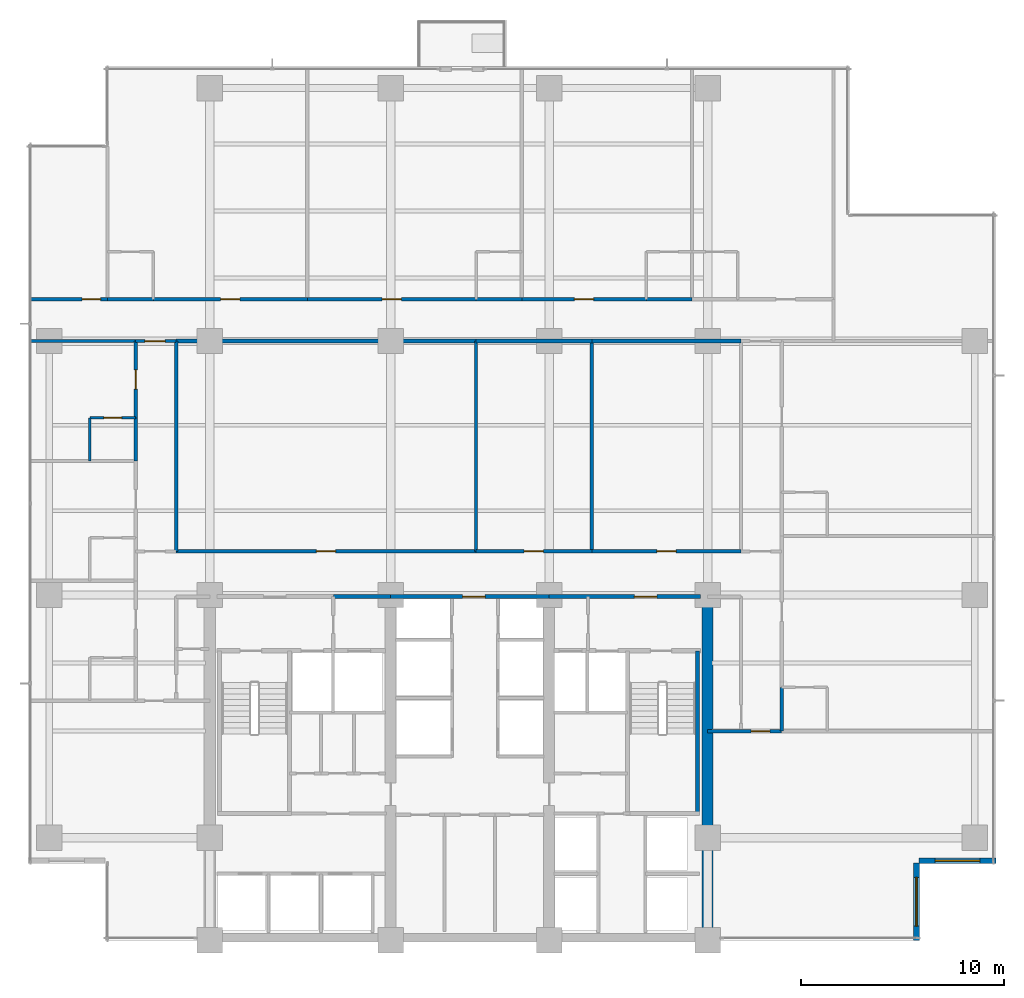
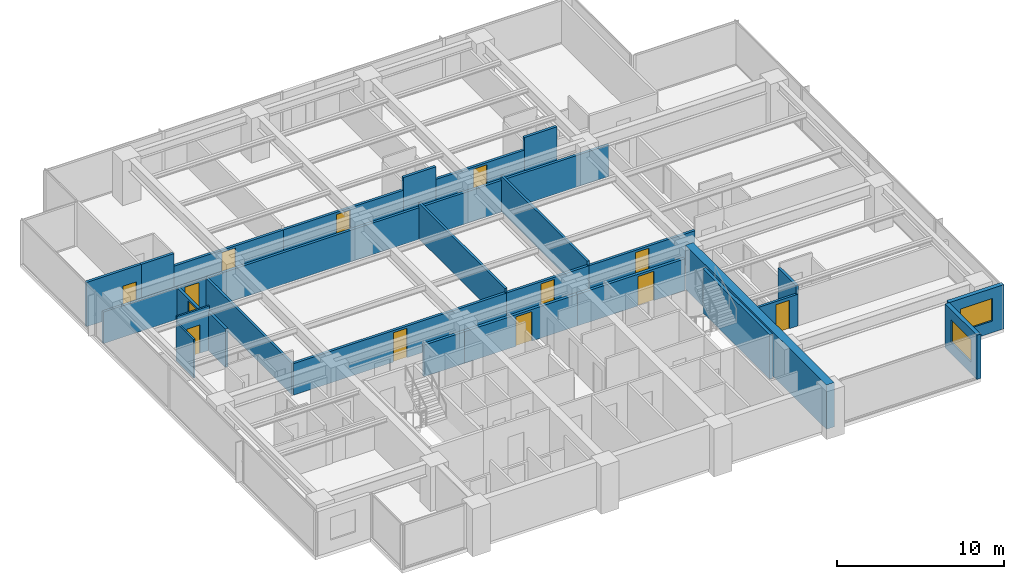
# One storey, part 10 of 17: 31 walls, 13 doors, 2 windows, 15 openings.
"""IFC4 building model written with IfcOpenShell, lengths in metres."""

from ifc_helpers import new_model, si_unit, direction, frame, frame_2d, origin, place, context, subcontext, project, spatial, rectangle, extrude, material, layer, layer_set, type_object, element, fill, save


model = new_model("IFC4")

# Units and contexts
model_context = context("Model", 3, precision=1e-05, world=origin(), true_north=direction((0.0, 1.0)))
body_context = subcontext(model_context, "Body", "Model", "MODEL_VIEW")
ifc_project = project(units=[si_unit("LENGTHUNIT", "METRE"), si_unit("AREAUNIT", "SQUARE_METRE"), si_unit("VOLUMEUNIT", "CUBIC_METRE"), si_unit("PLANEANGLEUNIT", "RADIAN"), si_unit("MASSUNIT", "GRAM", prefix="KILO")], contexts=[model_context])

# Site, building, storey
site_placement = place(None, origin())
site = spatial("IfcSite", under=ifc_project, at=site_placement, CompositionType="ELEMENT")
building_placement = place(site_placement, origin())
building = spatial("IfcBuilding", under=site, at=building_placement, Name="Qalmaran Belvedere Hotel", CompositionType="ELEMENT")
storey_placement = place(building_placement, frame((0.0, 0.0, 98.699951171875)))
storey = spatial("IfcBuildingStorey", under=building, at=storey_placement, Name="L24", CompositionType="ELEMENT", Elevation=98.699951171875)

# Wall
ifc_material_1 = material(Name="Concrete C60/75", Category="concrete")
ifc_layer_1 = layer(ifc_material_1, 0.550048828125, Name="Concrete C60/75")
ifc_layer_set_1 = layer_set([ifc_layer_1], Name="Concrete C60/75")
wall_type_1 = type_object("IfcWallType", Name="WL-CORE-550-C60", PredefinedType="SHEAR", material=ifc_layer_set_1)
wall_1_placement = place(storey_placement, frame((44.800048828125, 3.5, 0.0), z_axis=(0.0, 0.0, 1.0), x_axis=(0.0, 1.0, 0.0)))
element("IfcWall", 1, at=wall_1_placement, inside=storey, type_object=wall_type_1, Name="L24 East Core Shear Wall", PredefinedType="SHEAR", context=body_context, shape_type="SweptSolid", body=[
    extrude(rectangle(XDim=16.89990234375, YDim=0.550048828125, at=frame_2d((8.449951171875, 0.0))), origin(), (0.0, 0.0, 1.0), 3.239990234375),
])

# Wall, opening, window
ifc_material_2 = material(Name="Anodised Bronze Cladding")
ifc_layer_2 = layer(ifc_material_2, 0.280029296875, Name="Anodised Bronze Cladding")
ifc_layer_set_2 = layer_set([ifc_layer_2], Name="Anodised Bronze Cladding")
wall_type_2 = type_object("IfcWallType", Name="WL-EXT-BRNZ-280", PredefinedType="SOLIDWALL", material=ifc_layer_set_2)
wall_2_placement = place(storey_placement, frame((55.080078125, 3.5, 0.0), z_axis=(0.0, 0.0, 1.0), x_axis=(0.0, 1.0, 0.0)))
wall_2 = element("IfcWall", 2, at=wall_2_placement, inside=storey, type_object=wall_type_2, Name="L24 Corner Notch Wall 1", PredefinedType="SOLIDWALL", context=body_context, shape_type="SweptSolid", body=[
    extrude(rectangle(XDim=3.800048828125, YDim=0.280029296875, at=frame_2d((1.89990234375, 0.0))), origin(), (0.0, 0.0, 1.0), 3.239990234375),
])
opening_1_placement = place(wall_2_placement, frame((0.699951171875, 0.0, 0.85009765625)))
opening_1 = element("IfcOpeningElement", 3, at=opening_1_placement, cuts=wall_2, Name="Opening W-N24", PredefinedType="OPENING", context=body_context, shape_type="SweptSolid", body=[
    extrude(rectangle(XDim=2.39990234375, YDim=1.64990234375, at=frame_2d((1.199951171875, 0.824951171875))), frame((0.0, 0.14990234375, 0.0), z_axis=(0.0, -1.0, 0.0), x_axis=(1.0, 0.0, 0.0)), (0.0, 0.0, 1.0), 0.300048828125),
])
ifc_material_3 = material(Name="Solar-Control Double Glazing", Category="glass")
window_type_1 = type_object("IfcWindowType", Name="WN-NTC-2400X1650", PartitioningType="SINGLE_PANEL", PredefinedType="WINDOW", material=ifc_material_3)
window_1_placement = place(opening_1_placement, origin())
window_1 = element("IfcWindow", 4, at=window_1_placement, inside=storey, type_object=window_type_1, Name="L24 Corner Notch Window 1", OverallHeight=1.64990234375, OverallWidth=2.39990234375, PartitioningType="SINGLE_PANEL", PredefinedType="WINDOW", context=body_context, shape_type="SweptSolid", body=[
    extrude(rectangle(XDim=2.39990234375, YDim=1.64990234375, at=frame_2d((1.199951171875, 0.824951171875))), frame((0.0, 0.030029296875, 0.0), z_axis=(0.0, -1.0, 0.0), x_axis=(1.0, 0.0, 0.0)), (0.0, 0.0, 1.0), 0.06005859375),
])
fill(opening_1, window_1)

wall_3_placement = place(storey_placement, frame((55.199951171875, 7.419921875, 0.0), z_axis=(0.0, 0.0, 1.0), x_axis=(1.0, 0.0, 0.0)))
wall_3 = element("IfcWall", 5, at=wall_3_placement, inside=storey, type_object=wall_type_2, Name="L24 Corner Notch Wall 2", PredefinedType="SOLIDWALL", context=body_context, shape_type="SweptSolid", body=[
    extrude(rectangle(XDim=3.800048828125, YDim=0.280029296875, at=frame_2d((1.89990234375, 0.0))), origin(), (0.0, 0.0, 1.0), 3.239990234375),
])
opening_2_placement = place(wall_3_placement, frame((0.800048828125, 0.0, 0.85009765625)))
opening_2 = element("IfcOpeningElement", 6, at=opening_2_placement, cuts=wall_3, Name="Opening W-N22", PredefinedType="OPENING", context=body_context, shape_type="SweptSolid", body=[
    extrude(rectangle(XDim=2.199951171875, YDim=1.64990234375, at=frame_2d((1.10009765625, 0.824951171875))), frame((0.0, 0.14990234375, 0.0), z_axis=(0.0, -1.0, 0.0), x_axis=(1.0, 0.0, 0.0)), (0.0, 0.0, 1.0), 0.300048828125),
])
window_type_2 = type_object("IfcWindowType", Name="WN-NTC-2200X1650", PartitioningType="SINGLE_PANEL", PredefinedType="WINDOW", material=ifc_material_3)
window_2_placement = place(opening_2_placement, origin())
window_2 = element("IfcWindow", 7, at=window_2_placement, inside=storey, type_object=window_type_2, Name="L24 Corner Notch Window 2", OverallHeight=1.64990234375, OverallWidth=2.199951171875, PartitioningType="SINGLE_PANEL", PredefinedType="WINDOW", context=body_context, shape_type="SweptSolid", body=[
    extrude(rectangle(XDim=2.199951171875, YDim=1.64990234375, at=frame_2d((1.10009765625, 0.824951171875))), frame((0.0, 0.030029296875, 0.0), z_axis=(0.0, -1.0, 0.0), x_axis=(1.0, 0.0, 0.0)), (0.0, 0.0, 1.0), 0.06005859375),
])
fill(opening_2, window_2)

# Wall, opening, door
ifc_material_4 = material(Name="Moisture-Resistant Gypsum")
ifc_layer_3 = layer(ifc_material_4, 0.1201171875, Name="Moisture-Resistant Gypsum")
ifc_layer_set_3 = layer_set([ifc_layer_3], Name="Moisture-Resistant Gypsum")
wall_type_3 = type_object("IfcWallType", Name="WL-INT-120-BATH", PredefinedType="PARTITIONING", material=ifc_layer_set_3)
wall_4_placement = place(storey_placement, frame((14.39990234375, 29.219970703125, 0.0), z_axis=(0.0, 0.0, 1.0), x_axis=(1.0, 0.0, 0.0)))
wall_4 = element("IfcWall", 8, at=wall_4_placement, inside=storey, type_object=wall_type_3, Name="L24 Partition WL-L24-WBN02", PredefinedType="PARTITIONING", context=body_context, shape_type="SweptSolid", body=[
    extrude(rectangle(XDim=2.25, YDim=0.1201171875, at=frame_2d((1.125, 0.0))), origin(), (0.0, 0.0, 1.0), 3.239990234375),
])
opening_3_placement = place(wall_4_placement, frame((1.56494140625, 0.0, 0.0), z_axis=(0.0, 0.0, 1.0), x_axis=(-1.0, 0.0, 0.0)))
opening_3 = element("IfcOpeningElement", 9, at=opening_3_placement, cuts=wall_4, Name="Opening D-BATH", PredefinedType="OPENING", context=body_context, shape_type="SweptSolid", body=[
    extrude(rectangle(XDim=0.8798828125, YDim=2.080078125, at=frame_2d((0.43994140625, 1.0400390625))), frame((0.0, 0.070068359375, 0.0), z_axis=(0.0, -1.0, 0.0), x_axis=(1.0, 0.0, 0.0)), (0.0, 0.0, 1.0), 0.14013671875),
])
ifc_material_5 = material(Name="Engineered Oak Veneer")
door_type_1 = type_object("IfcDoorType", Name="DR-INT-BATH-880X2080", OperationType="NOTDEFINED", PredefinedType="DOOR", material=ifc_material_5)
door_1_placement = place(opening_3_placement, origin())
door_1 = element("IfcDoor", 10, at=door_1_placement, inside=storey, type_object=door_type_1, Name="L24 W Ensuite Door 03", OperationType="SINGLE_SWING_RIGHT", OverallHeight=2.080078125, OverallWidth=0.8798828125, PredefinedType="DOOR", context=body_context, shape_type="SweptSolid", body=[
    extrude(rectangle(XDim=0.8798828125, YDim=2.080078125, at=frame_2d((0.43994140625, 1.0400390625))), frame((0.0, 0.02490234375, 0.0), z_axis=(0.0, -1.0, 0.0), x_axis=(1.0, 0.0, 0.0)), (0.0, 0.0, 1.0), 0.050048828125),
])
fill(opening_3, door_1)

# Wall
wall_5_placement = place(storey_placement, frame((14.39990234375, 27.10009765625, 0.0), z_axis=(0.0, 0.0, 1.0), x_axis=(0.0, 1.0, 0.0)))
element("IfcWall", 11, at=wall_5_placement, inside=storey, type_object=wall_type_3, Name="L24 Partition WL-L24-WBS02", PredefinedType="PARTITIONING", context=body_context, shape_type="SweptSolid", body=[
    extrude(rectangle(XDim=2.119873046875, YDim=0.1201171875, at=frame_2d((1.06005859375, 0.0))), origin(), (0.0, 0.0, 1.0), 2.818115234375),
])

# Wall, opening, door
ifc_material_6 = material(Name="Gypsum Stud Partition")
ifc_layer_4 = layer(ifc_material_6, 0.14990234375, Name="Gypsum Stud Partition")
ifc_layer_set_4 = layer_set([ifc_layer_4], Name="Gypsum Stud Partition")
wall_type_4 = type_object("IfcWallType", Name="WL-INT-150-EI60", PredefinedType="PARTITIONING", material=ifc_layer_set_4)
wall_6_placement = place(storey_placement, frame((16.64990234375, 33.0, 0.0), z_axis=(0.0, 0.0, 1.0), x_axis=(1.0, 0.0, 0.0)))
wall_6 = element("IfcWall", 12, at=wall_6_placement, inside=storey, type_object=wall_type_4, Name="L24 Partition WL-L24-XCW2", PredefinedType="PARTITIONING", context=body_context, shape_type="SweptSolid", body=[
    extrude(rectangle(XDim=2.0, YDim=0.14990234375, at=frame_2d((1.0, 0.0))), origin(), (0.0, 0.0, 1.0), 2.31298828125),
])
opening_4_placement = place(wall_6_placement, frame((0.449951171875, 0.0, 0.0)))
opening_4 = element("IfcOpeningElement", 13, at=opening_4_placement, cuts=wall_6, Name="Opening FD90B", PredefinedType="OPENING", context=body_context, shape_type="SweptSolid", body=[
    extrude(rectangle(XDim=1.0, YDim=2.14990234375, at=frame_2d((0.5, 1.074951171875))), frame((0.0, 0.0849609375, 0.0), z_axis=(0.0, -1.0, 0.0), x_axis=(1.0, 0.0, 0.0)), (0.0, 0.0, 1.0), 0.169921875),
])
ifc_material_7 = material(Name="Steel S355JR", Category="steel")
door_type_2 = type_object("IfcDoorType", Name="DR-FD90B-1000X2150", OperationType="NOTDEFINED", PredefinedType="DOOR", material=ifc_material_7)
door_2_placement = place(opening_4_placement, origin())
door_2 = element("IfcDoor", 14, at=door_2_placement, inside=storey, type_object=door_type_2, Name="L24 West Corridor Smoke Door N", OperationType="SINGLE_SWING_RIGHT", OverallHeight=2.14990234375, OverallWidth=1.0, PredefinedType="DOOR", context=body_context, shape_type="SweptSolid", body=[
    extrude(rectangle(XDim=1.0, YDim=2.14990234375, at=frame_2d((0.5, 1.074951171875))), frame((0.0, 0.02490234375, 0.0), z_axis=(0.0, -1.0, 0.0), x_axis=(1.0, 0.0, 0.0)), (0.0, 0.0, 1.0), 0.050048828125),
])
fill(opening_4, door_2)

ifc_layer_5 = layer(ifc_material_6, 0.159912109375, Name="Gypsum Stud Partition")
ifc_layer_set_5 = layer_set([ifc_layer_5], Name="Gypsum Stud Partition")
wall_type_5 = type_object("IfcWallType", Name="WL-INT-160-EI60", PredefinedType="PARTITIONING", material=ifc_layer_set_5)
wall_7_placement = place(storey_placement, frame((44.800048828125, 13.800048828125, 0.0), z_axis=(0.0, 0.0, 1.0), x_axis=(1.0, 0.0, 0.0)))
wall_7 = element("IfcWall", 15, at=wall_7_placement, inside=storey, type_object=wall_type_5, Name="L24 Partition WL-L24-SERL", PredefinedType="PARTITIONING", context=body_context, shape_type="SweptSolid", body=[
    extrude(rectangle(XDim=3.64990234375, YDim=0.159912109375, at=frame_2d((1.824951171875, 0.0))), origin(), (0.0, 0.0, 1.0), 2.31298828125),
])
opening_5_placement = place(wall_7_placement, frame((3.06982421875, 0.0, 0.0), z_axis=(0.0, 0.0, 1.0), x_axis=(-1.0, 0.0, 0.0)))
opening_5 = element("IfcOpeningElement", 16, at=opening_5_placement, cuts=wall_7, Name="Opening FD60S1", PredefinedType="OPENING", context=body_context, shape_type="SweptSolid", body=[
    extrude(rectangle(XDim=0.919921875, YDim=2.080078125, at=frame_2d((0.4599609375, 1.0400390625))), frame((0.0, 0.08984375, 0.0), z_axis=(0.0, -1.0, 0.0), x_axis=(1.0, 0.0, 0.0)), (0.0, 0.0, 1.0), 0.179931640625),
])
door_type_3 = type_object("IfcDoorType", Name="DR-FD60S-920X2080", OperationType="NOTDEFINED", PredefinedType="DOOR", material=ifc_material_5)
door_3_placement = place(opening_5_placement, origin())
door_3 = element("IfcDoor", 17, at=door_3_placement, inside=storey, type_object=door_type_3, Name="L24 SE Lounge Door", OperationType="SINGLE_SWING_RIGHT", OverallHeight=2.080078125, OverallWidth=0.919921875, PredefinedType="DOOR", context=body_context, shape_type="SweptSolid", body=[
    extrude(rectangle(XDim=0.919921875, YDim=2.080078125, at=frame_2d((0.4599609375, 1.0400390625))), frame((0.0, 0.02490234375, 0.0), z_axis=(0.0, -1.0, 0.0), x_axis=(1.0, 0.0, 0.0)), (0.0, 0.0, 1.0), 0.050048828125),
])
fill(opening_5, door_3)

# Walls
wall_8_placement = place(storey_placement, frame((18.64990234375, 22.64990234375, 0.0), z_axis=(0.0, 0.0, 1.0), x_axis=(0.0, 1.0, 0.0)))
element("IfcWall", 18, at=wall_8_placement, inside=storey, type_object=wall_type_5, Name="L24 Partition WL-L24-MIDVL", PredefinedType="PARTITIONING", context=body_context, shape_type="SweptSolid", body=[
    extrude(rectangle(XDim=10.35009765625, YDim=0.159912109375, at=frame_2d((5.175048828125, 0.0))), origin(), (0.0, 0.0, 1.0), 2.31298828125),
])
for number, where, z_axis, x_axis, name in (
    (19, (33.39990234375, 22.64990234375, 0.0), (0.0, 0.0, 1.0), (0.0, 1.0, 0.0), "L24 Partition WL-L24-MIDVR1"),
    (20, (39.10009765625, 22.64990234375, 0.0), (0.0, 0.0, 1.0), (0.0, 1.0, 0.0), "L24 Partition WL-L24-MIDVR2"),
):
    element("IfcWall", number, at=place(storey_placement, frame(where, z_axis=z_axis, x_axis=x_axis)), inside=storey, type_object=wall_type_5, Name=name, PredefinedType="PARTITIONING", context=body_context, shape_type="SweptSolid", body=[
        extrude(rectangle(XDim=10.35009765625, YDim=0.159912109375, at=frame_2d((5.175048828125, 0.0))), origin(), (0.0, 0.0, 1.0), 2.614013671875),
    ])
wall_9_placement = place(storey_placement, frame((11.469970703125, 33.0, 0.0), z_axis=(0.0, 0.0, 1.0), x_axis=(1.0, 0.0, 0.0)))
element("IfcWall", 21, at=wall_9_placement, inside=storey, type_object=wall_type_5, Name="L24 Partition WL-L24-WU02", PredefinedType="PARTITIONING", context=body_context, shape_type="SweptSolid", body=[
    extrude(rectangle(XDim=5.179931640625, YDim=0.159912109375, at=frame_2d((2.58984375, 0.0))), origin(), (0.0, 0.0, 1.0), 2.31298828125),
])

# Wall, opening, door
ifc_layer_6 = layer(ifc_material_6, 0.179931640625, Name="Gypsum Stud Partition")
ifc_layer_set_6 = layer_set([ifc_layer_6], Name="Gypsum Stud Partition")
wall_type_6 = type_object("IfcWallType", Name="WL-INT-180-EI60", PredefinedType="PARTITIONING", material=ifc_layer_set_6)
wall_10_placement = place(storey_placement, frame((18.64990234375, 22.64990234375, 0.0), z_axis=(0.0, 0.0, 1.0), x_axis=(1.0, 0.0, 0.0)))
wall_10 = element("IfcWall", 22, at=wall_10_placement, inside=storey, type_object=wall_type_6, Name="L24 Partition WL-L24-MIDD1", PredefinedType="PARTITIONING", context=body_context, shape_type="SweptSolid", body=[
    extrude(rectangle(XDim=14.75, YDim=0.179931640625, at=frame_2d((7.375, 0.0))), origin(), (0.0, 0.0, 1.0), 2.31298828125),
])
opening_6_placement = place(wall_10_placement, frame((6.89990234375, 0.0, 0.0)))
opening_6 = element("IfcOpeningElement", 23, at=opening_6_placement, cuts=wall_10, Name="Opening FD60", PredefinedType="OPENING", context=body_context, shape_type="SweptSolid", body=[
    extrude(rectangle(XDim=0.949951171875, YDim=2.14990234375, at=frame_2d((0.47509765625, 1.074951171875))), frame((0.0, 0.10009765625, 0.0), z_axis=(0.0, -1.0, 0.0), x_axis=(1.0, 0.0, 0.0)), (0.0, 0.0, 1.0), 0.199951171875),
])
door_type_4 = type_object("IfcDoorType", Name="DR-FD60-950X2150", OperationType="NOTDEFINED", PredefinedType="DOOR", material=ifc_material_5)
door_4_placement = place(opening_6_placement, origin())
door_4 = element("IfcDoor", 24, at=door_4_placement, inside=storey, type_object=door_type_4, Name="L24 Housekeeping and Linen Room Door", OperationType="SINGLE_SWING_LEFT", OverallHeight=2.14990234375, OverallWidth=0.949951171875, PredefinedType="DOOR", context=body_context, shape_type="SweptSolid", body=[
    extrude(rectangle(XDim=0.949951171875, YDim=2.14990234375, at=frame_2d((0.47509765625, 1.074951171875))), frame((0.0, 0.02490234375, 0.0), z_axis=(0.0, -1.0, 0.0), x_axis=(1.0, 0.0, 0.0)), (0.0, 0.0, 1.0), 0.050048828125),
])
fill(opening_6, door_4)

# Wall
wall_11_placement = place(storey_placement, frame((18.64990234375, 33.0, 0.0), z_axis=(0.0, 0.0, 1.0), x_axis=(1.0, 0.0, 0.0)))
element("IfcWall", 25, at=wall_11_placement, inside=storey, type_object=wall_type_6, Name="L24 Partition WL-L24-MIDO1", PredefinedType="PARTITIONING", context=body_context, shape_type="SweptSolid", body=[
    extrude(rectangle(XDim=14.75, YDim=0.179931640625, at=frame_2d((7.375, 0.0))), origin(), (0.0, 0.0, 1.0), 2.31298828125),
])

# Wall, opening, door
wall_12_placement = place(storey_placement, frame((33.39990234375, 22.64990234375, 0.0), z_axis=(0.0, 0.0, 1.0), x_axis=(1.0, 0.0, 0.0)))
wall_12 = element("IfcWall", 26, at=wall_12_placement, inside=storey, type_object=wall_type_6, Name="L24 Partition WL-L24-MIDD2", PredefinedType="PARTITIONING", context=body_context, shape_type="SweptSolid", body=[
    extrude(rectangle(XDim=5.7001953125, YDim=0.179931640625, at=frame_2d((2.85009765625, 0.0))), origin(), (0.0, 0.0, 1.0), 2.31298828125),
])
opening_7_placement = place(wall_12_placement, frame((2.375, 0.0, 0.0)))
opening_7 = element("IfcOpeningElement", 27, at=opening_7_placement, cuts=wall_12, Name="Opening FD60", PredefinedType="OPENING", context=body_context, shape_type="SweptSolid", body=[
    extrude(rectangle(XDim=0.949951171875, YDim=2.14990234375, at=frame_2d((0.47509765625, 1.074951171875))), frame((0.0, 0.10009765625, 0.0), z_axis=(0.0, -1.0, 0.0), x_axis=(1.0, 0.0, 0.0)), (0.0, 0.0, 1.0), 0.199951171875),
])
door_5_placement = place(opening_7_placement, origin())
door_5 = element("IfcDoor", 28, at=door_5_placement, inside=storey, type_object=door_type_4, Name="L24 Butler Pantry Door", OperationType="SINGLE_SWING_RIGHT", OverallHeight=2.14990234375, OverallWidth=0.949951171875, PredefinedType="DOOR", context=body_context, shape_type="SweptSolid", body=[
    extrude(rectangle(XDim=0.949951171875, YDim=2.14990234375, at=frame_2d((0.47509765625, 1.074951171875))), frame((0.0, 0.02490234375, 0.0), z_axis=(0.0, -1.0, 0.0), x_axis=(1.0, 0.0, 0.0)), (0.0, 0.0, 1.0), 0.050048828125),
])
fill(opening_7, door_5)

# Wall
wall_13_placement = place(storey_placement, frame((33.39990234375, 33.0, 0.0), z_axis=(0.0, 0.0, 1.0), x_axis=(1.0, 0.0, 0.0)))
element("IfcWall", 29, at=wall_13_placement, inside=storey, type_object=wall_type_6, Name="L24 Partition WL-L24-MIDO2", PredefinedType="PARTITIONING", context=body_context, shape_type="SweptSolid", body=[
    extrude(rectangle(XDim=5.7001953125, YDim=0.179931640625, at=frame_2d((2.85009765625, 0.0))), origin(), (0.0, 0.0, 1.0), 2.31298828125),
])

# Wall, opening, door
wall_14_placement = place(storey_placement, frame((39.10009765625, 22.64990234375, 0.0), z_axis=(0.0, 0.0, 1.0), x_axis=(1.0, 0.0, 0.0)))
wall_14 = element("IfcWall", 30, at=wall_14_placement, inside=storey, type_object=wall_type_6, Name="L24 Partition WL-L24-MIDD3", PredefinedType="PARTITIONING", context=body_context, shape_type="SweptSolid", body=[
    extrude(rectangle(XDim=7.349853515625, YDim=0.179931640625, at=frame_2d((3.6748046875, 0.0))), origin(), (0.0, 0.0, 1.0), 2.31298828125),
])
opening_8_placement = place(wall_14_placement, frame((3.199951171875, 0.0, 0.0)))
opening_8 = element("IfcOpeningElement", 31, at=opening_8_placement, cuts=wall_14, Name="Opening FD60", PredefinedType="OPENING", context=body_context, shape_type="SweptSolid", body=[
    extrude(rectangle(XDim=0.949951171875, YDim=2.14990234375, at=frame_2d((0.47509765625, 1.074951171875))), frame((0.0, 0.10009765625, 0.0), z_axis=(0.0, -1.0, 0.0), x_axis=(1.0, 0.0, 0.0)), (0.0, 0.0, 1.0), 0.199951171875),
])
door_6_placement = place(opening_8_placement, origin())
door_6 = element("IfcDoor", 32, at=door_6_placement, inside=storey, type_object=door_type_4, Name="L24 Tea Pantry Door", OperationType="SINGLE_SWING_LEFT", OverallHeight=2.14990234375, OverallWidth=0.949951171875, PredefinedType="DOOR", context=body_context, shape_type="SweptSolid", body=[
    extrude(rectangle(XDim=0.949951171875, YDim=2.14990234375, at=frame_2d((0.47509765625, 1.074951171875))), frame((0.0, 0.02490234375, 0.0), z_axis=(0.0, -1.0, 0.0), x_axis=(1.0, 0.0, 0.0)), (0.0, 0.0, 1.0), 0.050048828125),
])
fill(opening_8, door_6)

# Walls
wall_15_placement = place(storey_placement, frame((39.10009765625, 33.0, 0.0), z_axis=(0.0, 0.0, 1.0), x_axis=(1.0, 0.0, 0.0)))
element("IfcWall", 33, at=wall_15_placement, inside=storey, type_object=wall_type_6, Name="L24 Partition WL-L24-MIDO3", PredefinedType="PARTITIONING", context=body_context, shape_type="SweptSolid", body=[
    extrude(rectangle(XDim=7.349853515625, YDim=0.179931640625, at=frame_2d((3.6748046875, 0.0))), origin(), (0.0, 0.0, 1.0), 2.31298828125),
])
wall_16_placement = place(storey_placement, frame((15.27001953125, 35.050048828125, 0.0), z_axis=(0.0, 0.0, 1.0), x_axis=(1.0, 0.0, 0.0)))
element("IfcWall", 34, at=wall_16_placement, inside=storey, type_object=wall_type_6, Name="L24 Partition WL-L24-NBC00", PredefinedType="PARTITIONING", context=body_context, shape_type="SweptSolid", body=[
    extrude(rectangle(XDim=2.25, YDim=0.179931640625, at=frame_2d((1.125, 0.0))), origin(), (0.0, 0.0, 1.0), 3.239990234375),
])

# Wall, opening, door
wall_17_placement = place(storey_placement, frame((17.52001953125, 35.050048828125, 0.0), z_axis=(0.0, 0.0, 1.0), x_axis=(1.0, 0.0, 0.0)))
wall_17 = element("IfcWall", 35, at=wall_17_placement, inside=storey, type_object=wall_type_6, Name="L24 Partition WL-L24-NEC00", PredefinedType="PARTITIONING", context=body_context, shape_type="SweptSolid", body=[
    extrude(rectangle(XDim=7.58056640625, YDim=0.179931640625, at=frame_2d((3.790283203125, 0.0))), origin(), (0.0, 0.0, 1.0), 2.31298828125),
])
opening_9_placement = place(wall_17_placement, frame((3.3154296875, 0.0, 0.0)))
opening_9 = element("IfcOpeningElement", 36, at=opening_9_placement, cuts=wall_17, Name="Opening FD60", PredefinedType="OPENING", context=body_context, shape_type="SweptSolid", body=[
    extrude(rectangle(XDim=0.949951171875, YDim=2.14990234375, at=frame_2d((0.47509765625, 1.074951171875))), frame((0.0, 0.10009765625, 0.0), z_axis=(0.0, -1.0, 0.0), x_axis=(1.0, 0.0, 0.0)), (0.0, 0.0, 1.0), 0.199951171875),
])
door_7_placement = place(opening_9_placement, origin())
door_7 = element("IfcDoor", 37, at=door_7_placement, inside=storey, type_object=door_type_4, Name="L24 Guest Entrance Door N01", OperationType="SINGLE_SWING_LEFT", OverallHeight=2.14990234375, OverallWidth=0.949951171875, PredefinedType="DOOR", context=body_context, shape_type="SweptSolid", body=[
    extrude(rectangle(XDim=0.949951171875, YDim=2.14990234375, at=frame_2d((0.47509765625, 1.074951171875))), frame((0.0, 0.02490234375, 0.0), z_axis=(0.0, -1.0, 0.0), x_axis=(1.0, 0.0, 0.0)), (0.0, 0.0, 1.0), 0.050048828125),
])
fill(opening_9, door_7)

# Wall
wall_18_placement = place(storey_placement, frame((33.40966796875, 35.050048828125, 0.0), z_axis=(0.0, 0.0, 1.0), x_axis=(1.0, 0.0, 0.0)))
element("IfcWall", 38, at=wall_18_placement, inside=storey, type_object=wall_type_6, Name="L24 Partition WL-L24-NBC01", PredefinedType="PARTITIONING", context=body_context, shape_type="SweptSolid", body=[
    extrude(rectangle(XDim=2.25, YDim=0.179931640625, at=frame_2d((1.125, 0.0))), origin(), (0.0, 0.0, 1.0), 3.239990234375),
])

# Wall, opening, door
wall_19_placement = place(storey_placement, frame((25.1005859375, 35.050048828125, 0.0), z_axis=(0.0, 0.0, 1.0), x_axis=(1.0, 0.0, 0.0)))
wall_19 = element("IfcWall", 39, at=wall_19_placement, inside=storey, type_object=wall_type_6, Name="L24 Partition WL-L24-NEC01", PredefinedType="PARTITIONING", context=body_context, shape_type="SweptSolid", body=[
    extrude(rectangle(XDim=8.30908203125, YDim=0.179931640625, at=frame_2d((4.154541015625, 0.0))), origin(), (0.0, 0.0, 1.0), 2.31298828125),
])
opening_10_placement = place(wall_19_placement, frame((3.679443359375, 0.0, 0.0)))
opening_10 = element("IfcOpeningElement", 40, at=opening_10_placement, cuts=wall_19, Name="Opening FD60", PredefinedType="OPENING", context=body_context, shape_type="SweptSolid", body=[
    extrude(rectangle(XDim=0.949951171875, YDim=2.14990234375, at=frame_2d((0.47509765625, 1.074951171875))), frame((0.0, 0.10009765625, 0.0), z_axis=(0.0, -1.0, 0.0), x_axis=(1.0, 0.0, 0.0)), (0.0, 0.0, 1.0), 0.199951171875),
])
door_8_placement = place(opening_10_placement, origin())
door_8 = element("IfcDoor", 41, at=door_8_placement, inside=storey, type_object=door_type_4, Name="L24 Guest Entrance Door N02", OperationType="SINGLE_SWING_LEFT", OverallHeight=2.14990234375, OverallWidth=0.949951171875, PredefinedType="DOOR", context=body_context, shape_type="SweptSolid", body=[
    extrude(rectangle(XDim=0.949951171875, YDim=2.14990234375, at=frame_2d((0.47509765625, 1.074951171875))), frame((0.0, 0.02490234375, 0.0), z_axis=(0.0, -1.0, 0.0), x_axis=(1.0, 0.0, 0.0)), (0.0, 0.0, 1.0), 0.050048828125),
])
fill(opening_10, door_8)

# Wall
wall_20_placement = place(storey_placement, frame((41.783935546875, 35.050048828125, 0.0), z_axis=(0.0, 0.0, 1.0), x_axis=(1.0, 0.0, 0.0)))
element("IfcWall", 42, at=wall_20_placement, inside=storey, type_object=wall_type_6, Name="L24 Partition WL-L24-NBC02", PredefinedType="PARTITIONING", context=body_context, shape_type="SweptSolid", body=[
    extrude(rectangle(XDim=2.25, YDim=0.179931640625, at=frame_2d((1.125, 0.0))), origin(), (0.0, 0.0, 1.0), 3.239990234375),
])

# Wall, opening, door
wall_21_placement = place(storey_placement, frame((35.65966796875, 35.050048828125, 0.0), z_axis=(0.0, 0.0, 1.0), x_axis=(1.0, 0.0, 0.0)))
wall_21 = element("IfcWall", 43, at=wall_21_placement, inside=storey, type_object=wall_type_6, Name="L24 Partition WL-L24-NEC02", PredefinedType="PARTITIONING", context=body_context, shape_type="SweptSolid", body=[
    extrude(rectangle(XDim=6.124267578125, YDim=0.179931640625, at=frame_2d((3.06201171875, 0.0))), origin(), (0.0, 0.0, 1.0), 2.31298828125),
])
opening_11_placement = place(wall_21_placement, frame((2.587158203125, 0.0, 0.0)))
opening_11 = element("IfcOpeningElement", 44, at=opening_11_placement, cuts=wall_21, Name="Opening FD60", PredefinedType="OPENING", context=body_context, shape_type="SweptSolid", body=[
    extrude(rectangle(XDim=0.949951171875, YDim=2.14990234375, at=frame_2d((0.47509765625, 1.074951171875))), frame((0.0, 0.10009765625, 0.0), z_axis=(0.0, -1.0, 0.0), x_axis=(1.0, 0.0, 0.0)), (0.0, 0.0, 1.0), 0.199951171875),
])
door_9_placement = place(opening_11_placement, origin())
door_9 = element("IfcDoor", 45, at=door_9_placement, inside=storey, type_object=door_type_4, Name="L24 Guest Entrance Door N03", OperationType="SINGLE_SWING_LEFT", OverallHeight=2.14990234375, OverallWidth=0.949951171875, PredefinedType="DOOR", context=body_context, shape_type="SweptSolid", body=[
    extrude(rectangle(XDim=0.949951171875, YDim=2.14990234375, at=frame_2d((0.47509765625, 1.074951171875))), frame((0.0, 0.02490234375, 0.0), z_axis=(0.0, -1.0, 0.0), x_axis=(1.0, 0.0, 0.0)), (0.0, 0.0, 1.0), 0.050048828125),
])
fill(opening_11, door_9)

# Wall
wall_22_placement = place(storey_placement, frame((16.64990234375, 27.10009765625, 0.0), z_axis=(0.0, 0.0, 1.0), x_axis=(0.0, 1.0, 0.0)))
element("IfcWall", 46, at=wall_22_placement, inside=storey, type_object=wall_type_6, Name="L24 Partition WL-L24-WBC02", PredefinedType="PARTITIONING", context=body_context, shape_type="SweptSolid", body=[
    extrude(rectangle(XDim=2.119873046875, YDim=0.179931640625, at=frame_2d((1.06005859375, 0.0))), origin(), (0.0, 0.0, 1.0), 2.818115234375),
])

# Wall, opening, door
wall_23_placement = place(storey_placement, frame((16.64990234375, 29.219970703125, 0.0), z_axis=(0.0, 0.0, 1.0), x_axis=(0.0, 1.0, 0.0)))
wall_23 = element("IfcWall", 47, at=wall_23_placement, inside=storey, type_object=wall_type_6, Name="L24 Partition WL-L24-WEC02", PredefinedType="PARTITIONING", context=body_context, shape_type="SweptSolid", body=[
    extrude(rectangle(XDim=3.780029296875, YDim=0.179931640625, at=frame_2d((1.89013671875, 0.0))), origin(), (0.0, 0.0, 1.0), 2.31298828125),
])
opening_12_placement = place(wall_23_placement, frame((1.4150390625, 0.0, 0.0)))
opening_12 = element("IfcOpeningElement", 48, at=opening_12_placement, cuts=wall_23, Name="Opening FD60", PredefinedType="OPENING", context=body_context, shape_type="SweptSolid", body=[
    extrude(rectangle(XDim=0.949951171875, YDim=2.14990234375, at=frame_2d((0.47509765625, 1.074951171875))), frame((0.0, 0.10009765625, 0.0), z_axis=(0.0, -1.0, 0.0), x_axis=(1.0, 0.0, 0.0)), (0.0, 0.0, 1.0), 0.199951171875),
])
door_10_placement = place(opening_12_placement, origin())
door_10 = element("IfcDoor", 49, at=door_10_placement, inside=storey, type_object=door_type_4, Name="L24 W Wing Door 03", OperationType="SINGLE_SWING_LEFT", OverallHeight=2.14990234375, OverallWidth=0.949951171875, PredefinedType="DOOR", context=body_context, shape_type="SweptSolid", body=[
    extrude(rectangle(XDim=0.949951171875, YDim=2.14990234375, at=frame_2d((0.47509765625, 1.074951171875))), frame((0.0, 0.02490234375, 0.0), z_axis=(0.0, -1.0, 0.0), x_axis=(1.0, 0.0, 0.0)), (0.0, 0.0, 1.0), 0.050048828125),
])
fill(opening_12, door_10)

# Wall
wall_24_placement = place(storey_placement, frame((48.449951171875, 13.800048828125, 0.0), z_axis=(0.0, 0.0, 1.0), x_axis=(0.0, 1.0, 0.0)))
element("IfcWall", 50, at=wall_24_placement, inside=storey, type_object=wall_type_6, Name="L24 Partition WL-L24-EBC00", PredefinedType="PARTITIONING", context=body_context, shape_type="SweptSolid", body=[
    extrude(rectangle(XDim=2.14990234375, YDim=0.179931640625, at=frame_2d((1.074951171875, 0.0))), origin(), (0.0, 0.0, 1.0), 2.922119140625),
])

# Wall, opening, door
wall_25_placement = place(storey_placement, frame((11.469970703125, 35.050048828125, 0.0), z_axis=(0.0, 0.0, 1.0), x_axis=(1.0, 0.0, 0.0)))
wall_25 = element("IfcWall", 51, at=wall_25_placement, inside=storey, type_object=wall_type_6, Name="L24 Partition WL-L24-NWSD", PredefinedType="PARTITIONING", context=body_context, shape_type="SweptSolid", body=[
    extrude(rectangle(XDim=3.800048828125, YDim=0.179931640625, at=frame_2d((1.89990234375, 0.0))), origin(), (0.0, 0.0, 1.0), 3.239990234375),
])
opening_13_placement = place(wall_25_placement, frame((2.543701171875, 0.0, 0.0)))
opening_13 = element("IfcOpeningElement", 52, at=opening_13_placement, cuts=wall_25, Name="Opening FD60S1", PredefinedType="OPENING", context=body_context, shape_type="SweptSolid", body=[
    extrude(rectangle(XDim=0.919921875, YDim=2.080078125, at=frame_2d((0.4599609375, 1.0400390625))), frame((0.0, 0.10009765625, 0.0), z_axis=(0.0, -1.0, 0.0), x_axis=(1.0, 0.0, 0.0)), (0.0, 0.0, 1.0), 0.199951171875),
])
door_11_placement = place(opening_13_placement, origin())
door_11 = element("IfcDoor", 53, at=door_11_placement, inside=storey, type_object=door_type_3, Name="L24 NW Belvedere Study Door", OperationType="SINGLE_SWING_RIGHT", OverallHeight=2.080078125, OverallWidth=0.919921875, PredefinedType="DOOR", context=body_context, shape_type="SweptSolid", body=[
    extrude(rectangle(XDim=0.919921875, YDim=2.080078125, at=frame_2d((0.4599609375, 1.0400390625))), frame((0.0, 0.02490234375, 0.0), z_axis=(0.0, -1.0, 0.0), x_axis=(1.0, 0.0, 0.0)), (0.0, 0.0, 1.0), 0.050048828125),
])
fill(opening_13, door_11)

# Wall
ifc_material_8 = material(Name="Concrete C30/37 Blockwork", Category="masonry")
ifc_layer_7 = layer(ifc_material_8, 0.199951171875, Name="Concrete C30/37 Blockwork")
ifc_layer_set_7 = layer_set([ifc_layer_7], Name="Concrete C30/37 Blockwork")
wall_type_7 = type_object("IfcWallType", Name="WL-INT-200-EI120", PredefinedType="PARTITIONING", material=ifc_layer_set_7)
wall_26_placement = place(storey_placement, frame((26.3798828125, 20.419921875, 0.0), z_axis=(0.0, 0.0, 1.0), x_axis=(1.0, 0.0, 0.0)))
element("IfcWall", 54, at=wall_26_placement, inside=storey, type_object=wall_type_7, Name="L24 Partition WL-CN1B-L24", PredefinedType="PARTITIONING", context=body_context, shape_type="SweptSolid", body=[
    extrude(rectangle(XDim=2.820068359375, YDim=0.199951171875, at=frame_2d((1.41015625, 0.0))), origin(), (0.0, 0.0, 1.0), 2.31298828125),
])

# Wall, opening, door
wall_27_placement = place(storey_placement, frame((29.199951171875, 20.419921875, 0.0), z_axis=(0.0, 0.0, 1.0), x_axis=(1.0, 0.0, 0.0)))
wall_27 = element("IfcWall", 55, at=wall_27_placement, inside=storey, type_object=wall_type_7, Name="L24 Partition WL-CN2-L24", PredefinedType="PARTITIONING", context=body_context, shape_type="SweptSolid", body=[
    extrude(rectangle(XDim=7.800048828125, YDim=0.199951171875, at=frame_2d((3.89990234375, 0.0))), origin(), (0.0, 0.0, 1.0), 2.31298828125),
])
opening_14_placement = place(wall_27_placement, frame((3.550048828125, 0.0, 0.0)))
opening_14 = element("IfcOpeningElement", 56, at=opening_14_placement, cuts=wall_27, Name="Opening FD90", PredefinedType="OPENING", context=body_context, shape_type="SweptSolid", body=[
    extrude(rectangle(XDim=1.10009765625, YDim=2.14990234375, at=frame_2d((0.550048828125, 1.074951171875))), frame((0.0, 0.10986328125, 0.0), z_axis=(0.0, -1.0, 0.0), x_axis=(1.0, 0.0, 0.0)), (0.0, 0.0, 1.0), 0.219970703125),
])
door_type_5 = type_object("IfcDoorType", Name="DR-FD90-1100X2150", OperationType="NOTDEFINED", PredefinedType="DOOR", material=ifc_material_7)
door_12_placement = place(opening_14_placement, origin())
door_12 = element("IfcDoor", 57, at=door_12_placement, inside=storey, type_object=door_type_5, Name="L24 Central Lift Lobby Door", OperationType="SINGLE_SWING_RIGHT", OverallHeight=2.14990234375, OverallWidth=1.10009765625, PredefinedType="DOOR", context=body_context, shape_type="SweptSolid", body=[
    extrude(rectangle(XDim=1.10009765625, YDim=2.14990234375, at=frame_2d((0.550048828125, 1.074951171875))), frame((0.0, 0.02490234375, 0.0), z_axis=(0.0, -1.0, 0.0), x_axis=(1.0, 0.0, 0.0)), (0.0, 0.0, 1.0), 0.050048828125),
])
fill(opening_14, door_12)

wall_28_placement = place(storey_placement, frame((37.0, 20.419921875, 0.0), z_axis=(0.0, 0.0, 1.0), x_axis=(1.0, 0.0, 0.0)))
wall_28 = element("IfcWall", 58, at=wall_28_placement, inside=storey, type_object=wall_type_7, Name="L24 Partition WL-CN3-L24", PredefinedType="PARTITIONING", context=body_context, shape_type="SweptSolid", body=[
    extrude(rectangle(XDim=7.449951171875, YDim=0.199951171875, at=frame_2d((3.72509765625, 0.0))), origin(), (0.0, 0.0, 1.0), 2.31298828125),
])
opening_15_placement = place(wall_28_placement, frame((4.199951171875, 0.0, 0.0)))
opening_15 = element("IfcOpeningElement", 59, at=opening_15_placement, cuts=wall_28, Name="Opening FD90", PredefinedType="OPENING", context=body_context, shape_type="SweptSolid", body=[
    extrude(rectangle(XDim=1.10009765625, YDim=2.14990234375, at=frame_2d((0.550048828125, 1.074951171875))), frame((0.0, 0.10986328125, 0.0), z_axis=(0.0, -1.0, 0.0), x_axis=(1.0, 0.0, 0.0)), (0.0, 0.0, 1.0), 0.219970703125),
])
door_13_placement = place(opening_15_placement, origin())
door_13 = element("IfcDoor", 60, at=door_13_placement, inside=storey, type_object=door_type_5, Name="L24 FF2 Lobby Corridor Door", OperationType="SINGLE_SWING_LEFT", OverallHeight=2.14990234375, OverallWidth=1.10009765625, PredefinedType="DOOR", context=body_context, shape_type="SweptSolid", body=[
    extrude(rectangle(XDim=1.10009765625, YDim=2.14990234375, at=frame_2d((0.550048828125, 1.074951171875))), frame((0.0, 0.02490234375, 0.0), z_axis=(0.0, -1.0, 0.0), x_axis=(1.0, 0.0, 0.0)), (0.0, 0.0, 1.0), 0.050048828125),
])
fill(opening_15, door_13)

# Wall
ifc_material_9 = material(Name="Concrete C50/60", Category="concrete")
ifc_layer_8 = layer(ifc_material_9, 0.2099609375, Name="Concrete C50/60")
ifc_layer_set_8 = layer_set([ifc_layer_8], Name="Concrete C50/60")
wall_type_8 = type_object("IfcWallType", Name="WL-STAIR-210-C50", PredefinedType="SHEAR", material=ifc_layer_set_8)
wall_29_placement = place(storey_placement, frame((44.304931640625, 9.7451171875, 0.0), z_axis=(0.0, 0.0, 1.0), x_axis=(0.0, 1.0, 0.0)))
element("IfcWall", 61, at=wall_29_placement, inside=storey, type_object=wall_type_8, Name="L24 Stair ST-2 East Bearing Wall", PredefinedType="SHEAR", context=body_context, shape_type="SweptSolid", body=[
    extrude(rectangle(XDim=8.009765625, YDim=0.2099609375, at=frame_2d((4.0048828125, 0.0))), origin(), (0.0, 0.0, 1.0), 3.239990234375),
])

save(model, "model.ifc")
